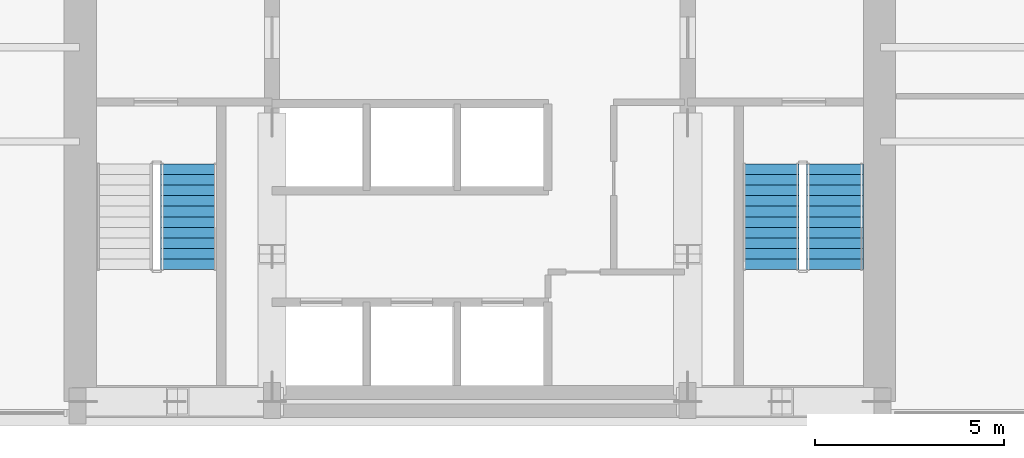
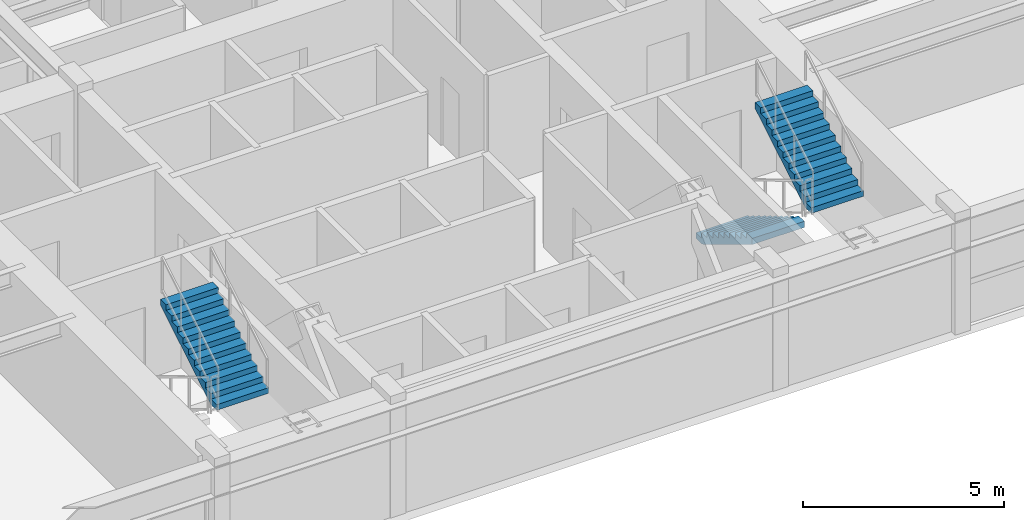
# One storey, part 12 of 13: 3 stair flights, 2 elements without a shape of their own.
"""IFC4 building model written with IfcOpenShell, lengths in metres."""

from ifc_helpers import new_model, si_unit, direction, frame, origin, place, context, subcontext, project, spatial, polyline, outline, extrude, material, type_object, element, aggregate, save


model = new_model("IFC4")

# Units and contexts
model_context = context("Model", 3, precision=1e-05, world=origin(), true_north=direction((0.0, 1.0)))
body_context = subcontext(model_context, "Body", "Model", "MODEL_VIEW")
ifc_project = project(units=[si_unit("LENGTHUNIT", "METRE"), si_unit("AREAUNIT", "SQUARE_METRE"), si_unit("VOLUMEUNIT", "CUBIC_METRE"), si_unit("PLANEANGLEUNIT", "RADIAN"), si_unit("MASSUNIT", "GRAM", prefix="KILO")], contexts=[model_context])

# Site, building, storey
site_placement = place(None, origin())
site = spatial("IfcSite", under=ifc_project, at=site_placement, CompositionType="ELEMENT")
building_placement = place(site_placement, origin())
building = spatial("IfcBuilding", under=site, at=building_placement, Name="Varnakhor Terracotta Tower", CompositionType="ELEMENT")
storey_placement = place(building_placement, frame((0.0, 0.0, 27.5)))
storey = spatial("IfcBuildingStorey", under=building, at=storey_placement, Name="L05", CompositionType="ELEMENT", Elevation=27.5)

# Stair, stair flight
ifc_material = material(Name="Concrete C40/50", Category="concrete")
stair_type = type_object("IfcStairType", Name="STR-CORE-OFFICE-1500", PredefinedType="HALF_TURN_STAIR", material=ifc_material)
stair_1_placement = place(storey_placement, origin())
stair_1 = element("IfcStair", 1, at=stair_1_placement, inside=storey, type_object=stair_type, Name="L05 Core Exit Stair ST-1", PredefinedType="HALF_TURN_STAIR")
stair_flight_type = type_object("IfcStairFlightType", Name="FLT-CORE-1500", PredefinedType="STRAIGHT", material=ifc_material)
stair_flight_1_placement = place(storey_placement, frame((-7.699951171875, 3.909912109375, 1.85009765625), z_axis=(0.0, 0.0, 1.0), x_axis=(0.0, 1.0, 0.0)))
stair_flight_1 = element("IfcStairFlight", 2, at=stair_flight_1_placement, type_object=stair_flight_type, Name="ST-1 flight 2", NumberOfRisers=11, NumberOfTreads=10, PredefinedType="STRAIGHT", RiserHeight=0.168181818, TreadLength=0.28, context=body_context, shape_type="SweptSolid", body=[
    extrude(outline(polyline([(0.0, 0.0), (0.0, 0.168212890625), (0.280029296875, 0.168212890625), (0.280029296875, 0.33642578125), (0.56005859375, 0.33642578125), (0.56005859375, 0.504638671875), (0.840087890625, 0.504638671875), (0.840087890625, 0.672607421875), (1.1201171875, 0.672607421875), (1.1201171875, 0.8408203125), (1.39990234375, 0.8408203125), (1.39990234375, 1.009033203125), (1.679931640625, 1.009033203125), (1.679931640625, 1.17724609375), (1.9599609375, 1.17724609375), (1.9599609375, 1.345458984375), (2.239990234375, 1.345458984375), (2.239990234375, 1.513671875), (2.52001953125, 1.513671875), (2.52001953125, 1.681884765625), (2.800048828125, 1.681884765625), (2.800048828125, 1.85009765625), (2.800048828125, 1.495361328125), (0.310546875, 0.0), (0.0, 0.0)])), frame((0.0, 0.75, 0.0), z_axis=(0.0, -1.0, 0.0), x_axis=(1.0, 0.0, 0.0)), (0.0, 0.0, 1.0), 1.5),
])
aggregate(stair_1, [stair_flight_1])

# Stair, stair flights
stair_2_placement = place(storey_placement, origin())
stair_2 = element("IfcStair", 3, at=stair_2_placement, inside=storey, type_object=stair_type, Name="L05 Core Exit Stair ST-2", PredefinedType="HALF_TURN_STAIR")
stair_flight_2_placement = place(storey_placement, frame((7.699951171875, 6.7099609375, 0.0), z_axis=(0.0, 0.0, 1.0), x_axis=(0.0, -1.0, 0.0)))
stair_flight_2 = element("IfcStairFlight", 4, at=stair_flight_2_placement, type_object=stair_flight_type, Name="ST-2 flight 1", NumberOfRisers=11, NumberOfTreads=10, PredefinedType="STRAIGHT", RiserHeight=0.168181818, TreadLength=0.28, context=body_context, shape_type="SweptSolid", body=[
    extrude(outline(polyline([(0.0, 0.0), (0.0, 0.168212890625), (0.280029296875, 0.168212890625), (0.280029296875, 0.33642578125), (0.56005859375, 0.33642578125), (0.56005859375, 0.504638671875), (0.840087890625, 0.504638671875), (0.840087890625, 0.672607421875), (1.1201171875, 0.672607421875), (1.1201171875, 0.8408203125), (1.39990234375, 0.8408203125), (1.39990234375, 1.009033203125), (1.679931640625, 1.009033203125), (1.679931640625, 1.17724609375), (1.9599609375, 1.17724609375), (1.9599609375, 1.345458984375), (2.239990234375, 1.345458984375), (2.239990234375, 1.513671875), (2.52001953125, 1.513671875), (2.52001953125, 1.681884765625), (2.800048828125, 1.681884765625), (2.800048828125, 1.85009765625), (2.800048828125, 1.495361328125), (0.310546875, 0.0), (0.0, 0.0)])), frame((0.0, 0.75, 0.0), z_axis=(0.0, -1.0, 0.0), x_axis=(1.0, 0.0, 0.0)), (0.0, 0.0, 1.0), 1.5),
])
stair_flight_3_placement = place(storey_placement, frame((9.39990234375, 3.909912109375, 1.85009765625), z_axis=(0.0, 0.0, 1.0), x_axis=(0.0, 1.0, 0.0)))
stair_flight_3 = element("IfcStairFlight", 5, at=stair_flight_3_placement, type_object=stair_flight_type, Name="ST-2 flight 2", NumberOfRisers=11, NumberOfTreads=10, PredefinedType="STRAIGHT", RiserHeight=0.168181818, TreadLength=0.28, context=body_context, shape_type="SweptSolid", body=[
    extrude(outline(polyline([(0.0, 0.0), (0.0, 0.168212890625), (0.280029296875, 0.168212890625), (0.280029296875, 0.33642578125), (0.56005859375, 0.33642578125), (0.56005859375, 0.504638671875), (0.840087890625, 0.504638671875), (0.840087890625, 0.672607421875), (1.1201171875, 0.672607421875), (1.1201171875, 0.8408203125), (1.39990234375, 0.8408203125), (1.39990234375, 1.009033203125), (1.679931640625, 1.009033203125), (1.679931640625, 1.17724609375), (1.9599609375, 1.17724609375), (1.9599609375, 1.345458984375), (2.239990234375, 1.345458984375), (2.239990234375, 1.513671875), (2.52001953125, 1.513671875), (2.52001953125, 1.681884765625), (2.800048828125, 1.681884765625), (2.800048828125, 1.85009765625), (2.800048828125, 1.495361328125), (0.310546875, 0.0), (0.0, 0.0)])), frame((0.0, 0.75, 0.0), z_axis=(0.0, -1.0, 0.0), x_axis=(1.0, 0.0, 0.0)), (0.0, 0.0, 1.0), 1.5),
])
aggregate(stair_2, [stair_flight_2, stair_flight_3])

save(model, "model.ifc")
